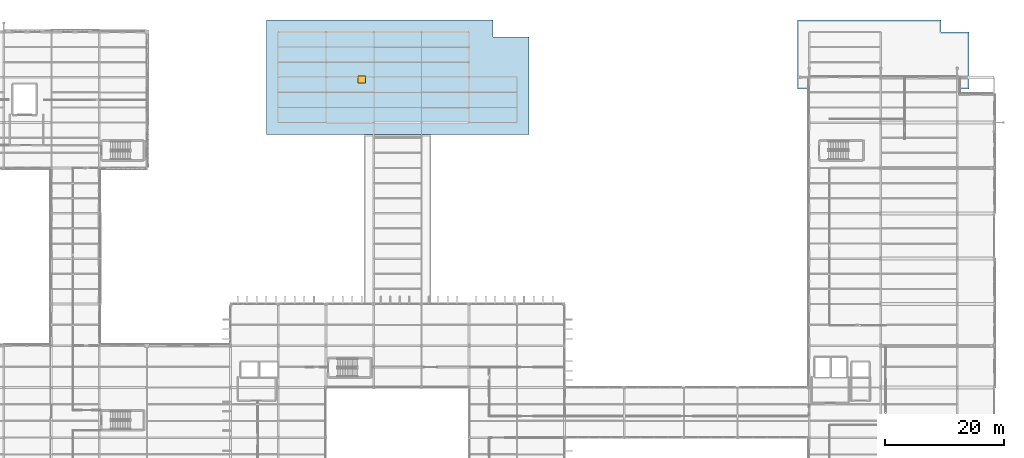
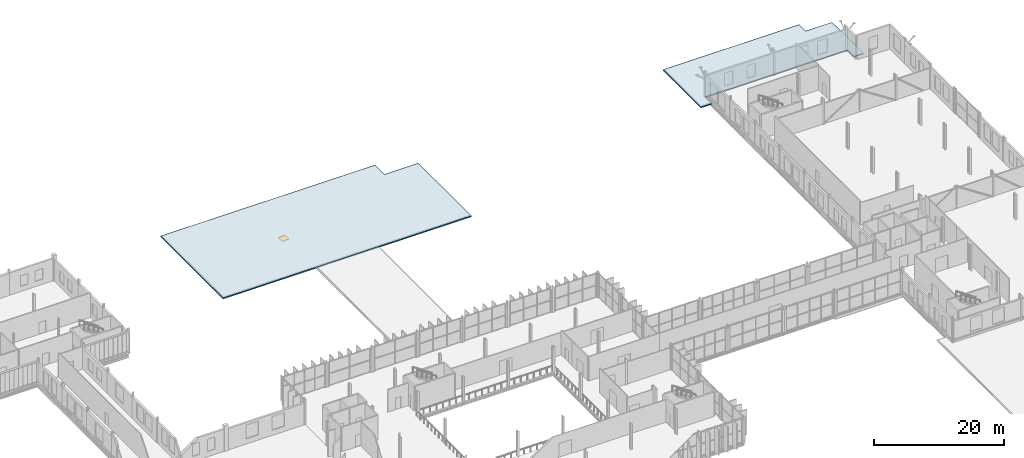
# One storey, part 87 of 120: 2 slabs, 1 window, 1 opening.
"""IFC4 building model written with IfcOpenShell, lengths in metres."""

from ifc_helpers import new_model, si_unit, direction, frame, origin, origin_2d, place, context, subcontext, project, spatial, polyline, rectangle, outline, extrude, material, layer, layer_set, type_object, element, fill, save


model = new_model("IFC4")

# Units and contexts
model_context = context("Model", 3, precision=1e-05, world=origin(), true_north=direction((0.0, 1.0)))
body_context = subcontext(model_context, "Body", "Model", "MODEL_VIEW")
ifc_project = project(units=[si_unit("LENGTHUNIT", "METRE"), si_unit("AREAUNIT", "SQUARE_METRE"), si_unit("VOLUMEUNIT", "CUBIC_METRE"), si_unit("PLANEANGLEUNIT", "RADIAN"), si_unit("MASSUNIT", "GRAM", prefix="KILO")], contexts=[model_context])

# Site, building, storey
site_placement = place(None, origin())
site = spatial("IfcSite", under=ifc_project, at=site_placement, CompositionType="ELEMENT")
building_placement = place(site_placement, origin())
building = spatial("IfcBuilding", under=site, at=building_placement, Name="Vekula Escarpment Museum", CompositionType="ELEMENT")
storey_placement = place(building_placement, frame((0.0, 0.0, 13.199951171875)))
storey = spatial("IfcBuildingStorey", under=building, at=storey_placement, Name="L03", CompositionType="ELEMENT", Elevation=13.199951171875)

# Slab, opening, window
ifc_material_1 = material(Name="Concrete C35/45", Category="concrete")
ifc_layer = layer(ifc_material_1, 0.199951171875)
ifc_layer_set = layer_set([ifc_layer], Name="Concrete C35/45")
slab_type = type_object("IfcSlabType", Name="SL-ROOF-200", PredefinedType="ROOF", material=ifc_layer_set)
slab_1_placement = place(storey_placement, frame((0.0, 0.0, -0.199951171875)))
slab_1 = element("IfcSlab", 1, at=slab_1_placement, inside=storey, type_object=slab_type, Name="Overhanging Eave Roof Slab R-L03-V2N", PredefinedType="ROOF", context=body_context, shape_type="SweptSolid", body=[
    extrude(outline(polyline([(76.0, 138.0), (114.0, 138.0), (114.0, 135.112060546875), (120.0, 135.112060546875), (120.0, 118.800048828125), (76.0, 118.800048828125), (76.0, 138.0)])), origin(), (0.0, 0.0, 1.0), 0.199951171875),
])
opening_placement = place(slab_1_placement, frame((92.0, 128.0, -0.010009765625)))
opening = element("IfcOpeningElement", 2, at=opening_placement, cuts=slab_1, Name="Opening RH-01", PredefinedType="OPENING", context=body_context, shape_type="SweptSolid", body=[
    extrude(rectangle(XDim=1.199951171875, YDim=1.199951171875, at=origin_2d()), origin(), (0.0, 0.0, 1.0), 0.219970703125),
])
ifc_material_2 = material(Name="Double solar-control low-E glass", Category="glass")
window_type = type_object("IfcWindowType", Name="SK-HATCH-12x12", PartitioningType="SINGLE_PANEL", PredefinedType="SKYLIGHT", material=ifc_material_2)
window_placement = place(opening_placement, frame((0.0, 0.0, 0.14990234375)))
window = element("IfcWindow", 3, at=window_placement, inside=storey, type_object=window_type, Name="Roof Access Hatch RH-01", OverallHeight=1.199951171875, OverallWidth=1.199951171875, PartitioningType="SINGLE_PANEL", PredefinedType="SKYLIGHT", context=body_context, shape_type="SweptSolid", body=[
    extrude(rectangle(XDim=1.199951171875, YDim=1.199951171875, at=origin_2d()), origin(), (0.0, 0.0, 1.0), 0.050048828125),
])
fill(opening, window)

# Slab
slab_2_placement = place(storey_placement, frame((0.0, 0.0, -0.199951171875)))
element("IfcSlab", 4, at=slab_2_placement, inside=storey, type_object=slab_type, Name="Overhanging Eave Roof Slab R-L03-V3N0", PredefinedType="ROOF", context=body_context, shape_type="SweptSolid", body=[
    extrude(outline(polyline([(165.0, 138.0), (189.087890625, 138.0), (189.087890625, 136.0), (193.800048828125, 136.0), (193.800048828125, 126.39990234375), (192.139892578125, 126.39990234375), (192.139892578125, 128.429931640625), (166.969970703125, 128.429931640625), (166.969970703125, 126.39990234375), (165.0, 126.39990234375), (165.0, 138.0)])), origin(), (0.0, 0.0, 1.0), 0.199951171875),
])

save(model, "model.ifc")
